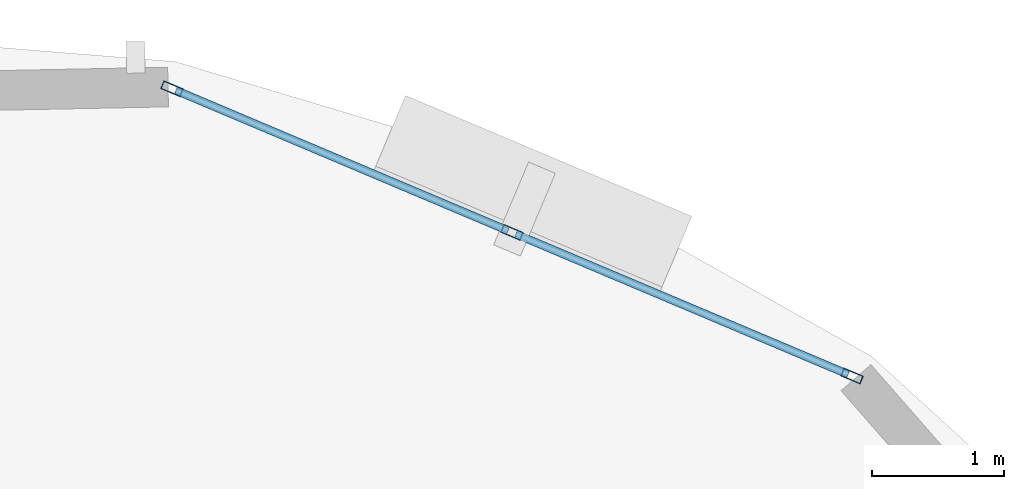
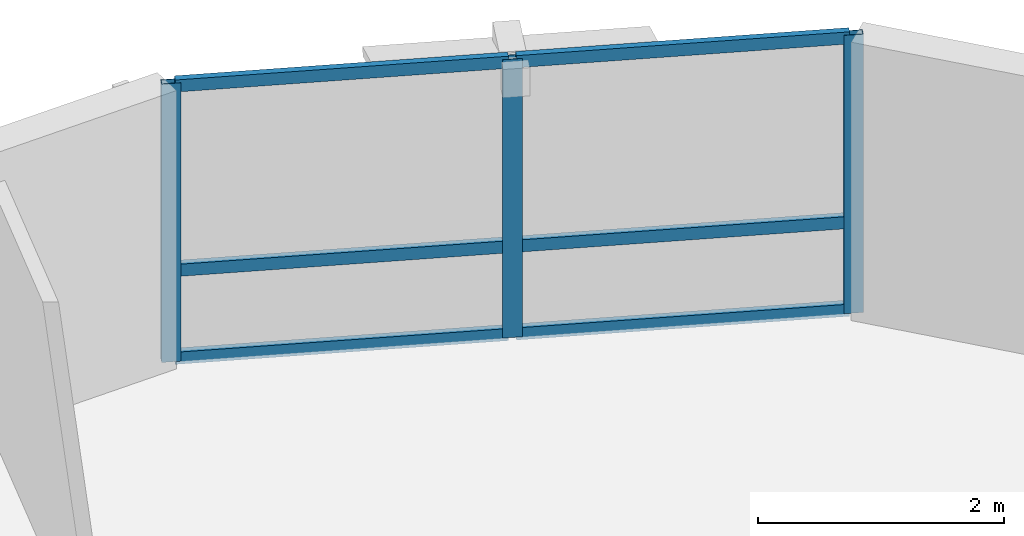
# One storey, part 5 of 11: 9 members, 1 element without a shape of its own.
"""IFC4 building model written with IfcOpenShell, lengths in metres."""

from ifc_helpers import new_model, si_unit, direction, frame, origin, origin_2d, place, context, subcontext, project, spatial, hollow_rectangle, extrude, material, layer, layer_set, material_profile, profile_set, type_object, element, aggregate, save


model = new_model("IFC4")

# Units and contexts
model_context = context("Model", 3, precision=1e-05, world=origin(), true_north=direction((0.0, 1.0)))
body_context = subcontext(model_context, "Body", "Model", "MODEL_VIEW")
ifc_project = project(units=[si_unit("LENGTHUNIT", "METRE"), si_unit("AREAUNIT", "SQUARE_METRE"), si_unit("VOLUMEUNIT", "CUBIC_METRE"), si_unit("PLANEANGLEUNIT", "RADIAN"), si_unit("MASSUNIT", "GRAM", prefix="KILO"), si_unit("THERMODYNAMICTEMPERATUREUNIT", "KELVIN"), si_unit("POWERUNIT", "WATT")], contexts=[model_context])

# Site, building, storey
site_placement = place(None, origin())
site = spatial("IfcSite", under=ifc_project, at=site_placement, CompositionType="ELEMENT")
building_placement = place(site_placement, origin())
building = spatial("IfcBuilding", under=site, at=building_placement, Name="Ocrelia Relay Tower", CompositionType="ELEMENT")
storey_placement = place(building_placement, frame((0.0, 0.0, 255.60009765625)))
storey = spatial("IfcBuildingStorey", under=building, at=storey_placement, Name="L63", CompositionType="ELEMENT", Elevation=255.60009765625)

# Curtain wall, members
ifc_material_1 = material(Name="Aluminium and solar-control low-E glass", Category="aluminium")
ifc_layer = layer(ifc_material_1, 0.179931640625, Name="Aluminium and solar-control low-E glass")
ifc_layer_set = layer_set([ifc_layer], Name="Aluminium and solar-control low-E glass")
curtain_wall_type = type_object("IfcCurtainWallType", Name="CW-SYS-Z4-EXEC", PredefinedType="NOTDEFINED", material=ifc_layer_set)
curtain_wall_placement = place(storey_placement, origin())
curtain_wall = element("IfcCurtainWall", 1, at=curtain_wall_placement, inside=storey, type_object=curtain_wall_type, Name="L63 Elliptical Tower Curtain Wall Bay 01", PredefinedType="NOTDEFINED")
ifc_material_2 = material(Name="Anodised bronze aluminium", Category="aluminium")
ifc_material_profile_1 = material_profile(ifc_material_2, hollow_rectangle(XDim=0.06494140625, YDim=0.159912109375, WallThickness=0.0048828125, at=origin_2d()), Name="CW-MUL-160x65")
ifc_profile_set_1 = profile_set([ifc_material_profile_1], Name="Anodised bronze aluminium")
member_type_1 = type_object("IfcMemberType", Name="CW-SYS-Z4-EXEC-MUL", PredefinedType="MULLION", material=ifc_profile_set_1)
member_1_placement = place(storey_placement, frame((46.26904296875, 43.0341796875, 0.0), z_axis=(0.0, 0.0, 1.0), x_axis=(-0.389090861221, -0.921199382172, 0.0)))
member_1 = element("IfcMember", 2, at=member_1_placement, type_object=member_type_1, Name="CW-Z4 mullion 1", PredefinedType="MULLION", context=body_context, shape_type="SweptSolid", body=[
    extrude(hollow_rectangle(XDim=0.06494140625, YDim=0.159912109375, WallThickness=0.0048828125, at=origin_2d()), origin(), (0.0, 0.0, 1.0), 2.760009765625),
])
member_2_placement = place(storey_placement, frame((43.696533203125, 44.120849609375, 0.0), z_axis=(0.0, 0.0, 1.0), x_axis=(-0.389090861221, -0.921199382172, 0.0)))
member_2 = element("IfcMember", 3, at=member_2_placement, type_object=member_type_1, Name="CW-Z4 mullion 2", PredefinedType="MULLION", context=body_context, shape_type="SweptSolid", body=[
    extrude(hollow_rectangle(XDim=0.06494140625, YDim=0.159912109375, WallThickness=0.0048828125, at=origin_2d()), origin(), (0.0, 0.0, 1.0), 2.760009765625),
])
member_3_placement = place(storey_placement, frame((41.123779296875, 45.20751953125, 0.0), z_axis=(0.0, 0.0, 1.0), x_axis=(-0.389090861221, -0.921199382172, 0.0)))
member_3 = element("IfcMember", 4, at=member_3_placement, type_object=member_type_1, Name="CW-Z4 mullion 3", PredefinedType="MULLION", context=body_context, shape_type="SweptSolid", body=[
    extrude(hollow_rectangle(XDim=0.06494140625, YDim=0.159912109375, WallThickness=0.0048828125, at=origin_2d()), origin(), (0.0, 0.0, 1.0), 2.760009765625),
])
ifc_material_profile_2 = material_profile(ifc_material_2, hollow_rectangle(XDim=0.06005859375, YDim=0.1201171875, WallThickness=0.0048828125, at=origin_2d()), Name="CW-TRN-120x60")
ifc_profile_set_2 = profile_set([ifc_material_profile_2], Name="Anodised bronze aluminium")
member_type_2 = type_object("IfcMemberType", Name="CW-SYS-Z4-EXEC-TRN", PredefinedType="USERDEFINED", material=ifc_profile_set_2)
member_4_placement = place(storey_placement, frame((46.239013671875, 43.046875, 0.02978515625), z_axis=(-0.921201800116, 0.389085136524, 0.0), x_axis=(-0.389085136524, -0.921201800116, 0.0)))
member_4 = element("IfcMember", 5, at=member_4_placement, type_object=member_type_2, Name="CW-Z4 transom 1.1", ObjectType="TRANSOM", PredefinedType="USERDEFINED", context=body_context, shape_type="SweptSolid", body=[
    extrude(hollow_rectangle(XDim=0.06005859375, YDim=0.1201171875, WallThickness=0.0048828125, at=origin_2d()), origin(), (0.0, 0.0, 1.0), 2.7275390625),
])
member_5_placement = place(storey_placement, frame((46.239013671875, 43.046875, 0.89990234375), z_axis=(-0.921201800116, 0.389085136524, 0.0), x_axis=(-0.389085136524, -0.921201800116, 0.0)))
member_5 = element("IfcMember", 6, at=member_5_placement, type_object=member_type_2, Name="CW-Z4 transom 1.2", ObjectType="TRANSOM", PredefinedType="USERDEFINED", context=body_context, shape_type="SweptSolid", body=[
    extrude(hollow_rectangle(XDim=0.06005859375, YDim=0.1201171875, WallThickness=0.0048828125, at=origin_2d()), origin(), (0.0, 0.0, 1.0), 2.7275390625),
])
member_6_placement = place(storey_placement, frame((46.239013671875, 43.046875, 2.72998046875), z_axis=(-0.921201800116, 0.389085136524, 0.0), x_axis=(-0.389085136524, -0.921201800116, 0.0)))
member_6 = element("IfcMember", 7, at=member_6_placement, type_object=member_type_2, Name="CW-Z4 transom 1.3", ObjectType="TRANSOM", PredefinedType="USERDEFINED", context=body_context, shape_type="SweptSolid", body=[
    extrude(hollow_rectangle(XDim=0.06005859375, YDim=0.1201171875, WallThickness=0.0048828125, at=origin_2d()), origin(), (0.0, 0.0, 1.0), 2.7275390625),
])
member_7_placement = place(storey_placement, frame((43.66650390625, 44.133544921875, 0.02978515625), z_axis=(-0.921201800116, 0.389085136524, 0.0), x_axis=(-0.389085136524, -0.921201800116, 0.0)))
member_7 = element("IfcMember", 8, at=member_7_placement, type_object=member_type_2, Name="CW-Z4 transom 2.1", ObjectType="TRANSOM", PredefinedType="USERDEFINED", context=body_context, shape_type="SweptSolid", body=[
    extrude(hollow_rectangle(XDim=0.06005859375, YDim=0.1201171875, WallThickness=0.0048828125, at=origin_2d()), origin(), (0.0, 0.0, 1.0), 2.7275390625),
])
member_8_placement = place(storey_placement, frame((43.66650390625, 44.133544921875, 0.89990234375), z_axis=(-0.921201800116, 0.389085136524, 0.0), x_axis=(-0.389085136524, -0.921201800116, 0.0)))
member_8 = element("IfcMember", 9, at=member_8_placement, type_object=member_type_2, Name="CW-Z4 transom 2.2", ObjectType="TRANSOM", PredefinedType="USERDEFINED", context=body_context, shape_type="SweptSolid", body=[
    extrude(hollow_rectangle(XDim=0.06005859375, YDim=0.1201171875, WallThickness=0.0048828125, at=origin_2d()), origin(), (0.0, 0.0, 1.0), 2.7275390625),
])
member_9_placement = place(storey_placement, frame((43.66650390625, 44.133544921875, 2.72998046875), z_axis=(-0.921201800116, 0.389085136524, 0.0), x_axis=(-0.389085136524, -0.921201800116, 0.0)))
member_9 = element("IfcMember", 10, at=member_9_placement, type_object=member_type_2, Name="CW-Z4 transom 2.3", ObjectType="TRANSOM", PredefinedType="USERDEFINED", context=body_context, shape_type="SweptSolid", body=[
    extrude(hollow_rectangle(XDim=0.06005859375, YDim=0.1201171875, WallThickness=0.0048828125, at=origin_2d()), origin(), (0.0, 0.0, 1.0), 2.7275390625),
])
aggregate(curtain_wall, [member_1, member_2, member_3, member_4, member_5, member_6, member_7, member_8, member_9])

save(model, "model.ifc")
